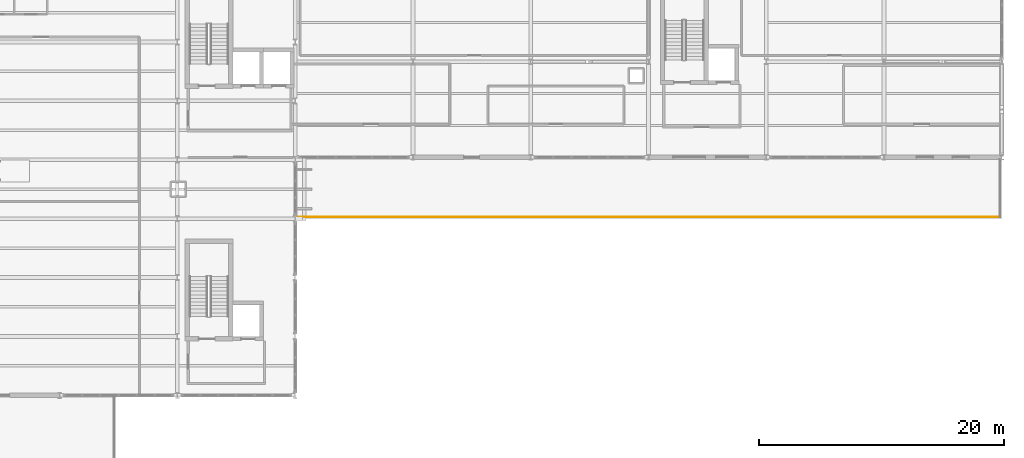
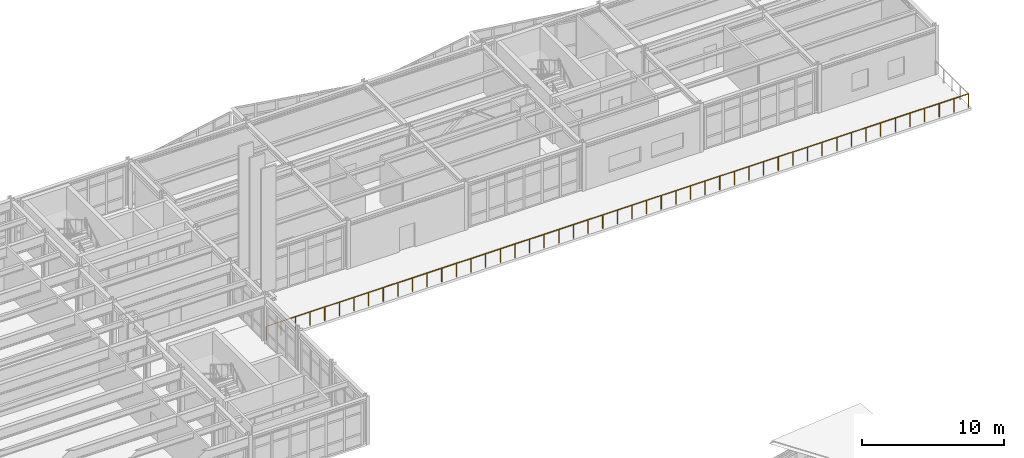
# One storey, part 46 of 47: 1 railing.
"""IFC4 building model written with IfcOpenShell, lengths in metres."""

from ifc_helpers import new_model, si_unit, direction, frame, origin, origin_2d, place, context, subcontext, project, spatial, circle, extrude, material, layer, layer_set, type_object, element, save


model = new_model("IFC4")

# Units and contexts
model_context = context("Model", 3, precision=1e-05, world=origin(), true_north=direction((0.0, 1.0)))
body_context = subcontext(model_context, "Body", "Model", "MODEL_VIEW")
ifc_project = project(units=[si_unit("LENGTHUNIT", "METRE"), si_unit("AREAUNIT", "SQUARE_METRE"), si_unit("VOLUMEUNIT", "CUBIC_METRE"), si_unit("PLANEANGLEUNIT", "RADIAN"), si_unit("MASSUNIT", "GRAM", prefix="KILO")], contexts=[model_context])

# Site, building, storey
site_placement = place(None, origin())
site = spatial("IfcSite", under=ifc_project, at=site_placement, CompositionType="ELEMENT")
building_placement = place(site_placement, origin())
building = spatial("IfcBuilding", under=site, at=building_placement, Name="Nordkorset Police Headquarters", CompositionType="ELEMENT")
storey_placement = place(building_placement, frame((0.0, 0.0, 22.050048828125)))
storey = spatial("IfcBuildingStorey", under=building, at=storey_placement, Name="L05", CompositionType="ELEMENT", Elevation=22.050048828125)

# Railing
ifc_material = material(Name="Steel S355J2", Category="steel")
ifc_layer = layer(ifc_material, 0.06005859375, Name="Steel S355J2")
ifc_layer_set = layer_set([ifc_layer], Name="Steel S355J2")
railing_type = type_object("IfcRailingType", Name="Guardrail_Terrace_1200", PredefinedType="GUARDRAIL", material=ifc_layer_set)
railing_placement = place(storey_placement, frame((29.0, 97.75, 0.0)))
element("IfcRailing", 1, at=railing_placement, inside=storey, type_object=railing_type, Name="Terrace Perimeter Guardrail TER-V2-L05-1", PredefinedType="GUARDRAIL", context=body_context, shape_type="SweptSolid", body=[
    extrude(circle(Radius=0.02392578125, at=origin_2d()), frame((0.0, 0.0, 1.17578125), z_axis=(1.0, 0.0, 0.0), x_axis=(0.0, 1.0, 0.0)), (0.0, 0.0, 1.0), 57.25),
    extrude(circle(Radius=0.02099609375, at=origin_2d()), origin(), (0.0, 0.0, 1.0), 1.15185546875),
    extrude(circle(Radius=0.02099609375, at=origin_2d()), frame((1.192626953125, 0.0, 0.0)), (0.0, 0.0, 1.0), 1.15185546875),
    extrude(circle(Radius=0.02099609375, at=origin_2d()), frame((2.385498046875, 0.0, 0.0)), (0.0, 0.0, 1.0), 1.15185546875),
    extrude(circle(Radius=0.02099609375, at=origin_2d()), frame((3.578125, 0.0, 0.0)), (0.0, 0.0, 1.0), 1.15185546875),
    extrude(circle(Radius=0.02099609375, at=origin_2d()), frame((4.770751953125, 0.0, 0.0)), (0.0, 0.0, 1.0), 1.15185546875),
    extrude(circle(Radius=0.02099609375, at=origin_2d()), frame((5.963623046875, 0.0, 0.0)), (0.0, 0.0, 1.0), 1.15185546875),
    extrude(circle(Radius=0.02099609375, at=origin_2d()), frame((7.15625, 0.0, 0.0)), (0.0, 0.0, 1.0), 1.15185546875),
    extrude(circle(Radius=0.02099609375, at=origin_2d()), frame((8.348876953125, 0.0, 0.0)), (0.0, 0.0, 1.0), 1.15185546875),
    extrude(circle(Radius=0.02099609375, at=origin_2d()), frame((9.541748046875, 0.0, 0.0)), (0.0, 0.0, 1.0), 1.15185546875),
    extrude(circle(Radius=0.02099609375, at=origin_2d()), frame((10.734375, 0.0, 0.0)), (0.0, 0.0, 1.0), 1.15185546875),
    extrude(circle(Radius=0.02099609375, at=origin_2d()), frame((11.927001953125, 0.0, 0.0)), (0.0, 0.0, 1.0), 1.15185546875),
    extrude(circle(Radius=0.02099609375, at=origin_2d()), frame((13.119873046875, 0.0, 0.0)), (0.0, 0.0, 1.0), 1.15185546875),
    extrude(circle(Radius=0.02099609375, at=origin_2d()), frame((14.3125, 0.0, 0.0)), (0.0, 0.0, 1.0), 1.15185546875),
    extrude(circle(Radius=0.02099609375, at=origin_2d()), frame((15.505126953125, 0.0, 0.0)), (0.0, 0.0, 1.0), 1.15185546875),
    extrude(circle(Radius=0.02099609375, at=origin_2d()), frame((16.697998046875, 0.0, 0.0)), (0.0, 0.0, 1.0), 1.15185546875),
    extrude(circle(Radius=0.02099609375, at=origin_2d()), frame((17.890625, 0.0, 0.0)), (0.0, 0.0, 1.0), 1.15185546875),
    extrude(circle(Radius=0.02099609375, at=origin_2d()), frame((19.083251953125, 0.0, 0.0)), (0.0, 0.0, 1.0), 1.15185546875),
    extrude(circle(Radius=0.02099609375, at=origin_2d()), frame((20.276123046875, 0.0, 0.0)), (0.0, 0.0, 1.0), 1.15185546875),
    extrude(circle(Radius=0.02099609375, at=origin_2d()), frame((21.46875, 0.0, 0.0)), (0.0, 0.0, 1.0), 1.15185546875),
    extrude(circle(Radius=0.02099609375, at=origin_2d()), frame((22.661376953125, 0.0, 0.0)), (0.0, 0.0, 1.0), 1.15185546875),
    extrude(circle(Radius=0.02099609375, at=origin_2d()), frame((23.854248046875, 0.0, 0.0)), (0.0, 0.0, 1.0), 1.15185546875),
    extrude(circle(Radius=0.02099609375, at=origin_2d()), frame((25.046875, 0.0, 0.0)), (0.0, 0.0, 1.0), 1.15185546875),
    extrude(circle(Radius=0.02099609375, at=origin_2d()), frame((26.239501953125, 0.0, 0.0)), (0.0, 0.0, 1.0), 1.15185546875),
    extrude(circle(Radius=0.02099609375, at=origin_2d()), frame((27.432373046875, 0.0, 0.0)), (0.0, 0.0, 1.0), 1.15185546875),
    extrude(circle(Radius=0.02099609375, at=origin_2d()), frame((28.625, 0.0, 0.0)), (0.0, 0.0, 1.0), 1.15185546875),
    extrude(circle(Radius=0.02099609375, at=origin_2d()), frame((29.817626953125, 0.0, 0.0)), (0.0, 0.0, 1.0), 1.15185546875),
    extrude(circle(Radius=0.02099609375, at=origin_2d()), frame((31.010498046875, 0.0, 0.0)), (0.0, 0.0, 1.0), 1.15185546875),
    extrude(circle(Radius=0.02099609375, at=origin_2d()), frame((32.203125, 0.0, 0.0)), (0.0, 0.0, 1.0), 1.15185546875),
    extrude(circle(Radius=0.02099609375, at=origin_2d()), frame((33.395751953125, 0.0, 0.0)), (0.0, 0.0, 1.0), 1.15185546875),
    extrude(circle(Radius=0.02099609375, at=origin_2d()), frame((34.588623046875, 0.0, 0.0)), (0.0, 0.0, 1.0), 1.15185546875),
    extrude(circle(Radius=0.02099609375, at=origin_2d()), frame((35.78125, 0.0, 0.0)), (0.0, 0.0, 1.0), 1.15185546875),
    extrude(circle(Radius=0.02099609375, at=origin_2d()), frame((36.973876953125, 0.0, 0.0)), (0.0, 0.0, 1.0), 1.15185546875),
    extrude(circle(Radius=0.02099609375, at=origin_2d()), frame((38.166748046875, 0.0, 0.0)), (0.0, 0.0, 1.0), 1.15185546875),
    extrude(circle(Radius=0.02099609375, at=origin_2d()), frame((39.359375, 0.0, 0.0)), (0.0, 0.0, 1.0), 1.15185546875),
    extrude(circle(Radius=0.02099609375, at=origin_2d()), frame((40.552001953125, 0.0, 0.0)), (0.0, 0.0, 1.0), 1.15185546875),
    extrude(circle(Radius=0.02099609375, at=origin_2d()), frame((41.744873046875, 0.0, 0.0)), (0.0, 0.0, 1.0), 1.15185546875),
    extrude(circle(Radius=0.02099609375, at=origin_2d()), frame((42.9375, 0.0, 0.0)), (0.0, 0.0, 1.0), 1.15185546875),
    extrude(circle(Radius=0.02099609375, at=origin_2d()), frame((44.130126953125, 0.0, 0.0)), (0.0, 0.0, 1.0), 1.15185546875),
    extrude(circle(Radius=0.02099609375, at=origin_2d()), frame((45.322998046875, 0.0, 0.0)), (0.0, 0.0, 1.0), 1.15185546875),
    extrude(circle(Radius=0.02099609375, at=origin_2d()), frame((46.515625, 0.0, 0.0)), (0.0, 0.0, 1.0), 1.15185546875),
    extrude(circle(Radius=0.02099609375, at=origin_2d()), frame((47.708251953125, 0.0, 0.0)), (0.0, 0.0, 1.0), 1.15185546875),
    extrude(circle(Radius=0.02099609375, at=origin_2d()), frame((48.901123046875, 0.0, 0.0)), (0.0, 0.0, 1.0), 1.15185546875),
    extrude(circle(Radius=0.02099609375, at=origin_2d()), frame((50.09375, 0.0, 0.0)), (0.0, 0.0, 1.0), 1.15185546875),
    extrude(circle(Radius=0.02099609375, at=origin_2d()), frame((51.286376953125, 0.0, 0.0)), (0.0, 0.0, 1.0), 1.15185546875),
    extrude(circle(Radius=0.02099609375, at=origin_2d()), frame((52.479248046875, 0.0, 0.0)), (0.0, 0.0, 1.0), 1.15185546875),
    extrude(circle(Radius=0.02099609375, at=origin_2d()), frame((53.671875, 0.0, 0.0)), (0.0, 0.0, 1.0), 1.15185546875),
    extrude(circle(Radius=0.02099609375, at=origin_2d()), frame((54.864501953125, 0.0, 0.0)), (0.0, 0.0, 1.0), 1.15185546875),
    extrude(circle(Radius=0.02099609375, at=origin_2d()), frame((56.057373046875, 0.0, 0.0)), (0.0, 0.0, 1.0), 1.15185546875),
    extrude(circle(Radius=0.02099609375, at=origin_2d()), frame((57.25, 0.0, 0.0)), (0.0, 0.0, 1.0), 1.15185546875),
])

save(model, "model.ifc")
